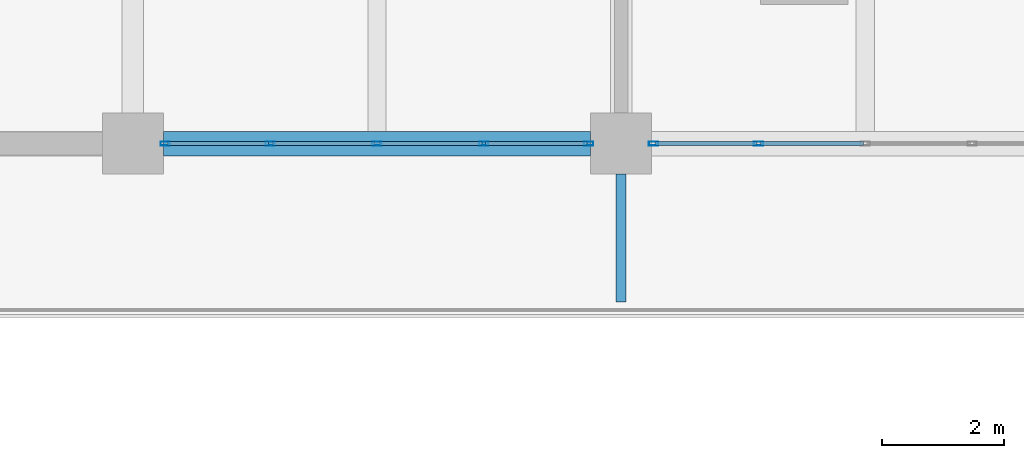
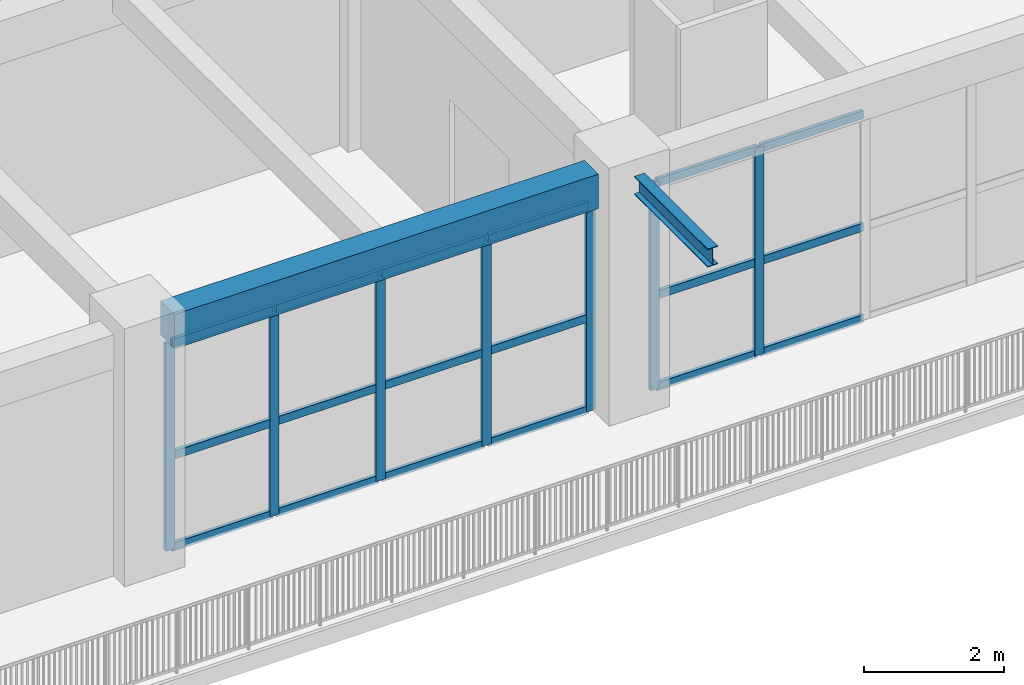
# One storey, part 24 of 79: 25 members, 2 beams, 2 elements without a shape of their own.
"""IFC4 building model written with IfcOpenShell, lengths in metres."""

from ifc_helpers import new_model, si_unit, direction, frame, origin, origin_2d, place, context, subcontext, project, spatial, rectangle, hollow_rectangle, i_section, extrude, material, material_profile, profile_set, type_object, element, aggregate, save


model = new_model("IFC4")

# Units and contexts
model_context = context("Model", 3, precision=1e-05, world=origin(), true_north=direction((0.0, 1.0)))
body_context = subcontext(model_context, "Body", "Model", "MODEL_VIEW")
ifc_project = project(units=[si_unit("LENGTHUNIT", "METRE"), si_unit("AREAUNIT", "SQUARE_METRE"), si_unit("VOLUMEUNIT", "CUBIC_METRE"), si_unit("PLANEANGLEUNIT", "RADIAN"), si_unit("MASSUNIT", "GRAM", prefix="KILO")], contexts=[model_context])

# Site, building, storey
site_placement = place(None, origin())
site = spatial("IfcSite", under=ifc_project, at=site_placement, CompositionType="ELEMENT")
building_placement = place(site_placement, origin())
building = spatial("IfcBuilding", under=site, at=building_placement, Name="Zantavel Square City Hall", CompositionType="ELEMENT")
storey_placement = place(building_placement, frame((0.0, 0.0, 10.199951171875)))
storey = spatial("IfcBuildingStorey", under=building, at=storey_placement, Name="L03", CompositionType="ELEMENT", Elevation=10.199951171875)

# Curtain wall, members
ifc_material_1 = material(Name="Anodised aluminium 6063-T6", Category="aluminium")
curtain_wall_type = type_object("IfcCurtainWallType", Name="Curtain Wall TRV1 7000x3620", PredefinedType="USERDEFINED", material=ifc_material_1)
curtain_wall_1_placement = place(storey_placement, origin())
curtain_wall_1 = element("IfcCurtainWall", 1, at=curtain_wall_1_placement, inside=storey, type_object=curtain_wall_type, Name="L03 Glazed Curtain Wall CW-L03-095", ObjectType="GLAZED CURTAIN WALL", PredefinedType="USERDEFINED")
ifc_material_profile_1 = material_profile(ifc_material_1, hollow_rectangle(XDim=0.06494140625, YDim=0.14990234375, WallThickness=0.00390625, at=origin_2d()), Name="ALU 65x150x4")
ifc_profile_set_1 = profile_set([ifc_material_profile_1], Name="Anodised aluminium 6063-T6")
member_type_1 = type_object("IfcMemberType", Name="CW Mullion ALU 65x150x4", PredefinedType="MULLION", material=ifc_profile_set_1)
member_1_placement = place(storey_placement, frame((98.25, 30.39990234375, 0.0), z_axis=(0.0, 0.0, 1.0), x_axis=(0.0, -1.0, 0.0)))
member_1 = element("IfcMember", 2, at=member_1_placement, type_object=member_type_1, Name="CW-095 mullion 4", PredefinedType="MULLION", context=body_context, shape_type="SweptSolid", body=[
    extrude(hollow_rectangle(XDim=0.06494140625, YDim=0.14990234375, WallThickness=0.00390625, at=origin_2d()), origin(), (0.0, 0.0, 1.0), 3.6201171875),
])
member_2_placement = place(storey_placement, frame((96.530029296875, 30.39990234375, 0.0), z_axis=(0.0, 0.0, 1.0), x_axis=(0.0, -1.0, 0.0)))
member_2 = element("IfcMember", 3, at=member_2_placement, type_object=member_type_1, Name="CW-095 mullion 5", PredefinedType="MULLION", context=body_context, shape_type="SweptSolid", body=[
    extrude(hollow_rectangle(XDim=0.06494140625, YDim=0.14990234375, WallThickness=0.00390625, at=origin_2d()), origin(), (0.0, 0.0, 1.0), 3.6201171875),
])

curtain_wall_2_placement = place(storey_placement, origin())
curtain_wall_2 = element("IfcCurtainWall", 4, at=curtain_wall_2_placement, inside=storey, type_object=curtain_wall_type, Name="L03 Glazed Curtain Wall CW-L03-096", ObjectType="GLAZED CURTAIN WALL", PredefinedType="USERDEFINED")
member_3_placement = place(storey_placement, frame((95.469970703125, 30.39990234375, 0.0), z_axis=(0.0, 0.0, 1.0), x_axis=(0.0, -1.0, 0.0)))
member_3 = element("IfcMember", 5, at=member_3_placement, type_object=member_type_1, Name="CW-096 mullion 1", PredefinedType="MULLION", context=body_context, shape_type="SweptSolid", body=[
    extrude(hollow_rectangle(XDim=0.06494140625, YDim=0.14990234375, WallThickness=0.00390625, at=origin_2d()), origin(), (0.0, 0.0, 1.0), 3.6201171875),
])
member_4_placement = place(storey_placement, frame((93.75, 30.39990234375, 0.0), z_axis=(0.0, 0.0, 1.0), x_axis=(0.0, -1.0, 0.0)))
member_4 = element("IfcMember", 6, at=member_4_placement, type_object=member_type_1, Name="CW-096 mullion 2", PredefinedType="MULLION", context=body_context, shape_type="SweptSolid", body=[
    extrude(hollow_rectangle(XDim=0.06494140625, YDim=0.14990234375, WallThickness=0.00390625, at=origin_2d()), origin(), (0.0, 0.0, 1.0), 3.6201171875),
])
member_5_placement = place(storey_placement, frame((92.0, 30.39990234375, 0.0), z_axis=(0.0, 0.0, 1.0), x_axis=(0.0, -1.0, 0.0)))
member_5 = element("IfcMember", 7, at=member_5_placement, type_object=member_type_1, Name="CW-096 mullion 3", PredefinedType="MULLION", context=body_context, shape_type="SweptSolid", body=[
    extrude(hollow_rectangle(XDim=0.06494140625, YDim=0.14990234375, WallThickness=0.00390625, at=origin_2d()), origin(), (0.0, 0.0, 1.0), 3.6201171875),
])
member_6_placement = place(storey_placement, frame((90.25, 30.39990234375, 0.0), z_axis=(0.0, 0.0, 1.0), x_axis=(0.0, -1.0, 0.0)))
member_6 = element("IfcMember", 8, at=member_6_placement, type_object=member_type_1, Name="CW-096 mullion 4", PredefinedType="MULLION", context=body_context, shape_type="SweptSolid", body=[
    extrude(hollow_rectangle(XDim=0.06494140625, YDim=0.14990234375, WallThickness=0.00390625, at=origin_2d()), origin(), (0.0, 0.0, 1.0), 3.6201171875),
])
member_7_placement = place(storey_placement, frame((88.530029296875, 30.39990234375, 0.0), z_axis=(0.0, 0.0, 1.0), x_axis=(0.0, -1.0, 0.0)))
member_7 = element("IfcMember", 9, at=member_7_placement, type_object=member_type_1, Name="CW-096 mullion 5", PredefinedType="MULLION", context=body_context, shape_type="SweptSolid", body=[
    extrude(hollow_rectangle(XDim=0.06494140625, YDim=0.14990234375, WallThickness=0.00390625, at=origin_2d()), origin(), (0.0, 0.0, 1.0), 3.6201171875),
])

# Member
ifc_material_profile_2 = material_profile(ifc_material_1, hollow_rectangle(XDim=0.06005859375, YDim=0.139892578125, WallThickness=0.00390625, at=origin_2d()), Name="ALU 60x140x4")
ifc_profile_set_2 = profile_set([ifc_material_profile_2], Name="Anodised aluminium 6063-T6")
member_type_2 = type_object("IfcMemberType", Name="CW Transom ALU 60x140x4", PredefinedType="USERDEFINED", material=ifc_profile_set_2)
member_8_placement = place(storey_placement, frame((99.969970703125, 30.39990234375, 0.030029296875), z_axis=(-1.0, 0.0, 0.0), x_axis=(0.0, -1.0, 0.0)))
member_8 = element("IfcMember", 10, at=member_8_placement, type_object=member_type_2, Name="CW-095 transom 3.1", ObjectType="TRANSOM", PredefinedType="USERDEFINED", context=body_context, shape_type="SweptSolid", body=[
    extrude(hollow_rectangle(XDim=0.06005859375, YDim=0.139892578125, WallThickness=0.00390625, at=origin_2d()), origin(), (0.0, 0.0, 1.0), 1.68994140625),
])

member_9_placement = place(storey_placement, frame((99.969970703125, 30.39990234375, 1.629150390625), z_axis=(-1.0, 0.0, 0.0), x_axis=(0.0, -1.0, 0.0)))
member_9 = element("IfcMember", 11, at=member_9_placement, type_object=member_type_2, Name="CW-095 transom 3.2", ObjectType="TRANSOM", PredefinedType="USERDEFINED", context=body_context, shape_type="SweptSolid", body=[
    extrude(hollow_rectangle(XDim=0.06005859375, YDim=0.139892578125, WallThickness=0.00390625, at=origin_2d()), origin(), (0.0, 0.0, 1.0), 1.68994140625),
])

member_10_placement = place(storey_placement, frame((99.969970703125, 30.39990234375, 3.590087890625), z_axis=(-1.0, 0.0, 0.0), x_axis=(0.0, -1.0, 0.0)))
member_10 = element("IfcMember", 12, at=member_10_placement, type_object=member_type_2, Name="CW-095 transom 3.3", ObjectType="TRANSOM", PredefinedType="USERDEFINED", context=body_context, shape_type="SweptSolid", body=[
    extrude(hollow_rectangle(XDim=0.06005859375, YDim=0.139892578125, WallThickness=0.00390625, at=origin_2d()), origin(), (0.0, 0.0, 1.0), 1.68994140625),
])

member_11_placement = place(storey_placement, frame((98.219970703125, 30.39990234375, 0.030029296875), z_axis=(-1.0, 0.0, 0.0), x_axis=(0.0, -1.0, 0.0)))
member_11 = element("IfcMember", 13, at=member_11_placement, type_object=member_type_2, Name="CW-095 transom 4.1", ObjectType="TRANSOM", PredefinedType="USERDEFINED", context=body_context, shape_type="SweptSolid", body=[
    extrude(hollow_rectangle(XDim=0.06005859375, YDim=0.139892578125, WallThickness=0.00390625, at=origin_2d()), origin(), (0.0, 0.0, 1.0), 1.659912109375),
])

member_12_placement = place(storey_placement, frame((98.219970703125, 30.39990234375, 1.629150390625), z_axis=(-1.0, 0.0, 0.0), x_axis=(0.0, -1.0, 0.0)))
member_12 = element("IfcMember", 14, at=member_12_placement, type_object=member_type_2, Name="CW-095 transom 4.2", ObjectType="TRANSOM", PredefinedType="USERDEFINED", context=body_context, shape_type="SweptSolid", body=[
    extrude(hollow_rectangle(XDim=0.06005859375, YDim=0.139892578125, WallThickness=0.00390625, at=origin_2d()), origin(), (0.0, 0.0, 1.0), 1.659912109375),
])

member_13_placement = place(storey_placement, frame((98.219970703125, 30.39990234375, 3.590087890625), z_axis=(-1.0, 0.0, 0.0), x_axis=(0.0, -1.0, 0.0)))
member_13 = element("IfcMember", 15, at=member_13_placement, type_object=member_type_2, Name="CW-095 transom 4.3", ObjectType="TRANSOM", PredefinedType="USERDEFINED", context=body_context, shape_type="SweptSolid", body=[
    extrude(hollow_rectangle(XDim=0.06005859375, YDim=0.139892578125, WallThickness=0.00390625, at=origin_2d()), origin(), (0.0, 0.0, 1.0), 1.659912109375),
])

aggregate(curtain_wall_1, [member_1, member_2, member_8, member_9, member_10, member_11, member_12, member_13])

member_14_placement = place(storey_placement, frame((95.43994140625, 30.39990234375, 0.030029296875), z_axis=(-1.0, 0.0, 0.0), x_axis=(0.0, -1.0, 0.0)))
member_14 = element("IfcMember", 16, at=member_14_placement, type_object=member_type_2, Name="CW-096 transom 1.1", ObjectType="TRANSOM", PredefinedType="USERDEFINED", context=body_context, shape_type="SweptSolid", body=[
    extrude(hollow_rectangle(XDim=0.06005859375, YDim=0.139892578125, WallThickness=0.00390625, at=origin_2d()), origin(), (0.0, 0.0, 1.0), 1.659912109375),
])

member_15_placement = place(storey_placement, frame((95.43994140625, 30.39990234375, 1.629150390625), z_axis=(-1.0, 0.0, 0.0), x_axis=(0.0, -1.0, 0.0)))
member_15 = element("IfcMember", 17, at=member_15_placement, type_object=member_type_2, Name="CW-096 transom 1.2", ObjectType="TRANSOM", PredefinedType="USERDEFINED", context=body_context, shape_type="SweptSolid", body=[
    extrude(hollow_rectangle(XDim=0.06005859375, YDim=0.139892578125, WallThickness=0.00390625, at=origin_2d()), origin(), (0.0, 0.0, 1.0), 1.659912109375),
])

member_16_placement = place(storey_placement, frame((95.43994140625, 30.39990234375, 3.590087890625), z_axis=(-1.0, 0.0, 0.0), x_axis=(0.0, -1.0, 0.0)))
member_16 = element("IfcMember", 18, at=member_16_placement, type_object=member_type_2, Name="CW-096 transom 1.3", ObjectType="TRANSOM", PredefinedType="USERDEFINED", context=body_context, shape_type="SweptSolid", body=[
    extrude(hollow_rectangle(XDim=0.06005859375, YDim=0.139892578125, WallThickness=0.00390625, at=origin_2d()), origin(), (0.0, 0.0, 1.0), 1.659912109375),
])

member_17_placement = place(storey_placement, frame((93.719970703125, 30.39990234375, 0.030029296875), z_axis=(-1.0, 0.0, 0.0), x_axis=(0.0, -1.0, 0.0)))
member_17 = element("IfcMember", 19, at=member_17_placement, type_object=member_type_2, Name="CW-096 transom 2.1", ObjectType="TRANSOM", PredefinedType="USERDEFINED", context=body_context, shape_type="SweptSolid", body=[
    extrude(hollow_rectangle(XDim=0.06005859375, YDim=0.139892578125, WallThickness=0.00390625, at=origin_2d()), origin(), (0.0, 0.0, 1.0), 1.68994140625),
])

member_18_placement = place(storey_placement, frame((93.719970703125, 30.39990234375, 1.629150390625), z_axis=(-1.0, 0.0, 0.0), x_axis=(0.0, -1.0, 0.0)))
member_18 = element("IfcMember", 20, at=member_18_placement, type_object=member_type_2, Name="CW-096 transom 2.2", ObjectType="TRANSOM", PredefinedType="USERDEFINED", context=body_context, shape_type="SweptSolid", body=[
    extrude(hollow_rectangle(XDim=0.06005859375, YDim=0.139892578125, WallThickness=0.00390625, at=origin_2d()), origin(), (0.0, 0.0, 1.0), 1.68994140625),
])

member_19_placement = place(storey_placement, frame((93.719970703125, 30.39990234375, 3.590087890625), z_axis=(-1.0, 0.0, 0.0), x_axis=(0.0, -1.0, 0.0)))
member_19 = element("IfcMember", 21, at=member_19_placement, type_object=member_type_2, Name="CW-096 transom 2.3", ObjectType="TRANSOM", PredefinedType="USERDEFINED", context=body_context, shape_type="SweptSolid", body=[
    extrude(hollow_rectangle(XDim=0.06005859375, YDim=0.139892578125, WallThickness=0.00390625, at=origin_2d()), origin(), (0.0, 0.0, 1.0), 1.68994140625),
])

member_20_placement = place(storey_placement, frame((91.969970703125, 30.39990234375, 0.030029296875), z_axis=(-1.0, 0.0, 0.0), x_axis=(0.0, -1.0, 0.0)))
member_20 = element("IfcMember", 22, at=member_20_placement, type_object=member_type_2, Name="CW-096 transom 3.1", ObjectType="TRANSOM", PredefinedType="USERDEFINED", context=body_context, shape_type="SweptSolid", body=[
    extrude(hollow_rectangle(XDim=0.06005859375, YDim=0.139892578125, WallThickness=0.00390625, at=origin_2d()), origin(), (0.0, 0.0, 1.0), 1.68994140625),
])

member_21_placement = place(storey_placement, frame((91.969970703125, 30.39990234375, 1.629150390625), z_axis=(-1.0, 0.0, 0.0), x_axis=(0.0, -1.0, 0.0)))
member_21 = element("IfcMember", 23, at=member_21_placement, type_object=member_type_2, Name="CW-096 transom 3.2", ObjectType="TRANSOM", PredefinedType="USERDEFINED", context=body_context, shape_type="SweptSolid", body=[
    extrude(hollow_rectangle(XDim=0.06005859375, YDim=0.139892578125, WallThickness=0.00390625, at=origin_2d()), origin(), (0.0, 0.0, 1.0), 1.68994140625),
])

member_22_placement = place(storey_placement, frame((91.969970703125, 30.39990234375, 3.590087890625), z_axis=(-1.0, 0.0, 0.0), x_axis=(0.0, -1.0, 0.0)))
member_22 = element("IfcMember", 24, at=member_22_placement, type_object=member_type_2, Name="CW-096 transom 3.3", ObjectType="TRANSOM", PredefinedType="USERDEFINED", context=body_context, shape_type="SweptSolid", body=[
    extrude(hollow_rectangle(XDim=0.06005859375, YDim=0.139892578125, WallThickness=0.00390625, at=origin_2d()), origin(), (0.0, 0.0, 1.0), 1.68994140625),
])

member_23_placement = place(storey_placement, frame((90.219970703125, 30.39990234375, 0.030029296875), z_axis=(-1.0, 0.0, 0.0), x_axis=(0.0, -1.0, 0.0)))
member_23 = element("IfcMember", 25, at=member_23_placement, type_object=member_type_2, Name="CW-096 transom 4.1", ObjectType="TRANSOM", PredefinedType="USERDEFINED", context=body_context, shape_type="SweptSolid", body=[
    extrude(hollow_rectangle(XDim=0.06005859375, YDim=0.139892578125, WallThickness=0.00390625, at=origin_2d()), origin(), (0.0, 0.0, 1.0), 1.659912109375),
])

member_24_placement = place(storey_placement, frame((90.219970703125, 30.39990234375, 1.629150390625), z_axis=(-1.0, 0.0, 0.0), x_axis=(0.0, -1.0, 0.0)))
member_24 = element("IfcMember", 26, at=member_24_placement, type_object=member_type_2, Name="CW-096 transom 4.2", ObjectType="TRANSOM", PredefinedType="USERDEFINED", context=body_context, shape_type="SweptSolid", body=[
    extrude(hollow_rectangle(XDim=0.06005859375, YDim=0.139892578125, WallThickness=0.00390625, at=origin_2d()), origin(), (0.0, 0.0, 1.0), 1.659912109375),
])

member_25_placement = place(storey_placement, frame((90.219970703125, 30.39990234375, 3.590087890625), z_axis=(-1.0, 0.0, 0.0), x_axis=(0.0, -1.0, 0.0)))
member_25 = element("IfcMember", 27, at=member_25_placement, type_object=member_type_2, Name="CW-096 transom 4.3", ObjectType="TRANSOM", PredefinedType="USERDEFINED", context=body_context, shape_type="SweptSolid", body=[
    extrude(hollow_rectangle(XDim=0.06005859375, YDim=0.139892578125, WallThickness=0.00390625, at=origin_2d()), origin(), (0.0, 0.0, 1.0), 1.659912109375),
])

aggregate(curtain_wall_2, [member_3, member_4, member_5, member_6, member_7, member_14, member_15, member_16, member_17, member_18, member_19, member_20, member_21, member_22, member_23, member_24, member_25])

# Beams
ifc_material_2 = material(Name="Concrete C35/45", Category="concrete")
ifc_material_profile_3 = material_profile(ifc_material_2, rectangle(XDim=0.39990234375, YDim=0.60009765625, at=origin_2d()), Name="RC 400x600")
ifc_profile_set_3 = profile_set([ifc_material_profile_3], Name="Concrete C35/45")
beam_type_1 = type_object("IfcBeamType", Name="Perimeter Spandrel RC 400x600 C35/45", PredefinedType="SPANDREL", material=ifc_profile_set_3)
beam_1_placement = place(storey_placement, frame((88.5, 30.39990234375, 3.920166015625), z_axis=(1.0, 0.0, 0.0), x_axis=(0.0, 1.0, 0.0)))
element("IfcBeam", 28, at=beam_1_placement, inside=storey, type_object=beam_type_1, Name="L03 Girder BMX-L03-0880-0304", PredefinedType="SPANDREL", context=body_context, shape_type="SweptSolid", body=[
    extrude(rectangle(XDim=0.39990234375, YDim=0.60009765625, at=origin_2d()), origin(), (0.0, 0.0, 1.0), 7.0),
])
ifc_material_3 = material(Name="Steel ASTM A992 Grade 50", Category="steel")
ifc_material_profile_4 = material_profile(ifc_material_3, i_section(OverallWidth=0.1669921875, OverallDepth=0.31689453125, WebThickness=0.007568359375, FlangeThickness=0.01318359375, at=origin_2d()), Name="W310x52")
ifc_profile_set_4 = profile_set([ifc_material_profile_4], Name="Steel ASTM A992 Grade 50")
beam_type_2 = type_object("IfcBeamType", Name="Tray Corner Cantilever Outrigger W310x52", PredefinedType="BEAM", material=ifc_profile_set_4)
beam_2_placement = place(storey_placement, frame((96.0, 29.89990234375, 4.0615234375), z_axis=(0.0, -1.0, 0.0), x_axis=(1.0, 0.0, 0.0)))
element("IfcBeam", 29, at=beam_2_placement, inside=storey, type_object=beam_type_2, Name="L03 Cantera Tray Outrigger S96", PredefinedType="BEAM", context=body_context, shape_type="SweptSolid", body=[
    extrude(i_section(OverallWidth=0.1669921875, OverallDepth=0.31689453125, WebThickness=0.007568359375, FlangeThickness=0.01318359375, at=origin_2d()), origin(), (0.0, 0.0, 1.0), 2.099853515625),
])

save(model, "model.ifc")
